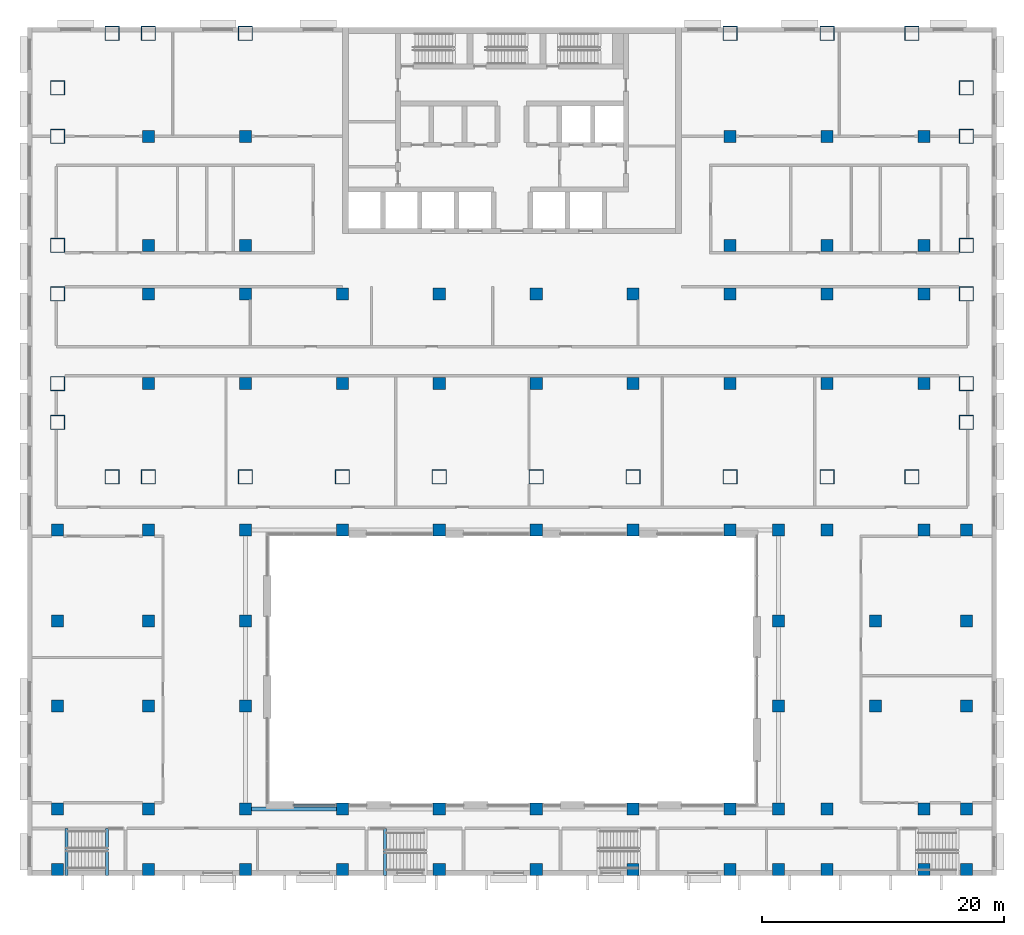
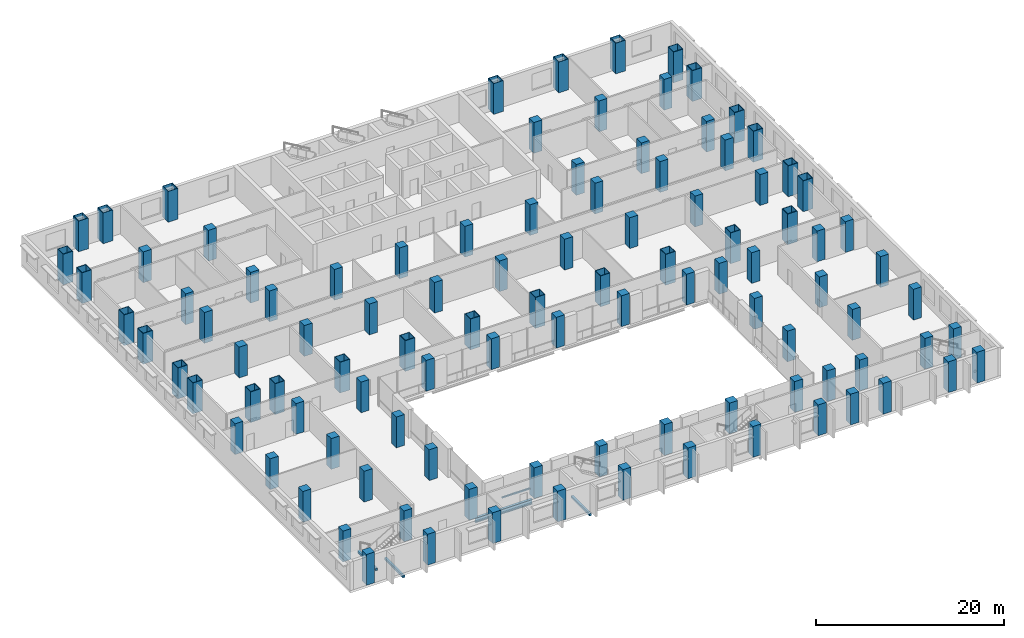
# One storey, part 1 of 25: 104 columns, 4 beams, 1 member, 1 element without a shape of its own.
"""IFC4 building model written with IfcOpenShell, lengths in metres."""

from ifc_helpers import new_model, si_unit, direction, frame, origin, origin_2d, place, context, subcontext, project, spatial, rectangle, hollow_rectangle, i_section, extrude, material, material_profile, profile_set, type_object, element, aggregate, save


model = new_model("IFC4")

# Units and contexts
model_context = context("Model", 3, precision=1e-05, world=origin(), true_north=direction((0.0, 1.0)))
body_context = subcontext(model_context, "Body", "Model", "MODEL_VIEW")
ifc_project = project(units=[si_unit("LENGTHUNIT", "METRE"), si_unit("AREAUNIT", "SQUARE_METRE"), si_unit("VOLUMEUNIT", "CUBIC_METRE"), si_unit("PLANEANGLEUNIT", "RADIAN"), si_unit("MASSUNIT", "GRAM", prefix="KILO")], contexts=[model_context])

# Site, building, storey
site_placement = place(None, origin())
site = spatial("IfcSite", under=ifc_project, at=site_placement, CompositionType="ELEMENT")
building_placement = place(site_placement, origin())
building = spatial("IfcBuilding", under=site, at=building_placement, Name="Vidyagriha Tower", CompositionType="ELEMENT")
storey_placement = place(building_placement, frame((0.0, 0.0, 18.0)))
storey = spatial("IfcBuildingStorey", under=building, at=storey_placement, Name="L04", CompositionType="ELEMENT", Elevation=18.0)

# Columns
ifc_material_1 = material(Name="Steel ASTM A572 Grade 50", Category="steel")
ifc_material_profile_1 = material_profile(ifc_material_1, hollow_rectangle(XDim=1.199951171875, YDim=1.199951171875, WallThickness=0.06005859375, at=origin_2d()), Name="BOX 1200x1200x60")
ifc_profile_set_1 = profile_set([ifc_material_profile_1], Name="Steel ASTM A572 Grade 50")
column_type_1 = type_object("IfcColumnType", Name="Exoskeleton column BOX 1200x1200x60", PredefinedType="COLUMN", material=ifc_profile_set_1)
for number, where, name in (
    (1, (-33.0, -17.10009765625, 0.0), "st-col-L04-B1-001"),
    (2, (-30.0, -17.10009765625, 0.0), "st-col-L04-B1-002"),
    (3, (-22.0, -17.10009765625, 0.0), "st-col-L04-B1-003"),
    (4, (-14.0, -17.10009765625, 0.0), "st-col-L04-B1-004"),
    (5, (-6.0, -17.10009765625, 0.0), "st-col-L04-B1-005"),
    (6, (2.0, -17.10009765625, 0.0), "st-col-L04-B1-006"),
    (7, (10.0, -17.10009765625, 0.0), "st-col-L04-B1-007"),
    (8, (18.0, -17.10009765625, 0.0), "st-col-L04-B1-008"),
    (9, (26.0, -17.10009765625, 0.0), "st-col-L04-B1-009"),
    (10, (33.0, -17.10009765625, 0.0), "st-col-L04-B1-010"),
    (11, (-37.5, -12.60009765625, 0.0), "st-col-L04-B1-011"),
    (12, (37.5, -12.60009765625, 0.0), "st-col-L04-B1-012"),
    (13, (-37.5, -9.39990234375, 0.0), "st-col-L04-B1-013"),
    (14, (37.5, -9.39990234375, 0.0), "st-col-L04-B1-023"),
    (15, (-37.5, -2.0, 0.0), "st-col-L04-B1-024"),
    (16, (37.5, -2.0, 0.0), "st-col-L04-B1-034"),
    (17, (-37.5, 2.0, 0.0), "st-col-L04-B1-035"),
    (18, (37.5, 2.0, 0.0), "st-col-L04-B1-041"),
    (19, (-37.5, 11.0, 0.0), "st-col-L04-B1-042"),
    (20, (37.5, 11.0, 0.0), "st-col-L04-B1-048"),
    (21, (-37.5, 15.0, 0.0), "st-col-L04-B1-049"),
    (22, (37.5, 15.0, 0.0), "st-col-L04-B1-050"),
    (23, (-33.0, 19.5, 0.0), "st-col-L04-B1-051"),
    (24, (-30.0, 19.5, 0.0), "st-col-L04-B1-052"),
    (25, (-22.0, 19.5, 0.0), "st-col-L04-B1-053"),
    (26, (18.0, 19.5, 0.0), "st-col-L04-B1-054"),
    (27, (26.0, 19.5, 0.0), "st-col-L04-B1-055"),
    (28, (33.0, 19.5, 0.0), "st-col-L04-B1-056"),
):
    element("IfcColumn", number, at=place(storey_placement, frame(where)), inside=storey, type_object=column_type_1, Name=name, PredefinedType="COLUMN", context=body_context, shape_type="SweptSolid", body=[
        extrude(hollow_rectangle(XDim=1.199951171875, YDim=1.199951171875, WallThickness=0.06005859375, at=origin_2d()), origin(), (0.0, 0.0, 1.0), 4.0),
    ])
ifc_material_2 = material(Name="Concrete C80/95", Category="concrete")
ifc_material_profile_2 = material_profile(ifc_material_2, rectangle(XDim=1.0, YDim=1.0, at=origin_2d()), Name="RC 1000x1000")
ifc_profile_set_2 = profile_set([ifc_material_profile_2], Name="Concrete C80/95")
column_type_2 = type_object("IfcColumnType", Name="Frame column RC 1000x1000", PredefinedType="COLUMN", material=ifc_profile_set_2)
for number, where, name in (
    (29, (-30.0, -9.39990234375, 0.0), "st-col-L04-B1-014"),
    (30, (-22.0, -9.39990234375, 0.0), "st-col-L04-B1-015"),
    (31, (-14.0, -9.39990234375, 0.0), "st-col-L04-B1-016"),
    (32, (-6.0, -9.39990234375, 0.0), "st-col-L04-B1-017"),
    (33, (2.0, -9.39990234375, 0.0), "st-col-L04-B1-018"),
    (34, (10.0, -9.39990234375, 0.0), "st-col-L04-B1-019"),
    (35, (18.0, -9.39990234375, 0.0), "st-col-L04-B1-020"),
    (36, (26.0, -9.39990234375, 0.0), "st-col-L04-B1-021"),
    (37, (34.0, -9.39990234375, 0.0), "st-col-L04-B1-022"),
    (38, (-30.0, -2.0, 0.0), "st-col-L04-B1-025"),
    (39, (-22.0, -2.0, 0.0), "st-col-L04-B1-026"),
    (40, (-14.0, -2.0, 0.0), "st-col-L04-B1-027"),
    (41, (-6.0, -2.0, 0.0), "st-col-L04-B1-028"),
    (42, (2.0, -2.0, 0.0), "st-col-L04-B1-029"),
    (43, (10.0, -2.0, 0.0), "st-col-L04-B1-030"),
    (44, (18.0, -2.0, 0.0), "st-col-L04-B1-031"),
    (45, (26.0, -2.0, 0.0), "st-col-L04-B1-032"),
    (46, (34.0, -2.0, 0.0), "st-col-L04-B1-033"),
    (47, (-30.0, 2.0, 0.0), "st-col-L04-B1-036"),
    (48, (-22.0, 2.0, 0.0), "st-col-L04-B1-037"),
    (49, (18.0, 2.0, 0.0), "st-col-L04-B1-038"),
    (50, (26.0, 2.0, 0.0), "st-col-L04-B1-039"),
    (51, (34.0, 2.0, 0.0), "st-col-L04-B1-040"),
    (52, (-30.0, 11.0, 0.0), "st-col-L04-B1-043"),
    (53, (-22.0, 11.0, 0.0), "st-col-L04-B1-044"),
    (54, (18.0, 11.0, 0.0), "st-col-L04-B1-045"),
    (55, (26.0, 11.0, 0.0), "st-col-L04-B1-046"),
    (56, (34.0, 11.0, 0.0), "st-col-L04-B1-047"),
):
    element("IfcColumn", number, at=place(storey_placement, frame(where)), inside=storey, type_object=column_type_2, Name=name, PredefinedType="COLUMN", context=body_context, shape_type="SweptSolid", body=[
        extrude(rectangle(XDim=1.0, YDim=1.0, at=origin_2d()), origin(), (0.0, 0.0, 1.0), 4.0),
    ])
ifc_material_3 = material(Name="Concrete C80/95", Category="concrete")
ifc_material_profile_3 = material_profile(ifc_material_3, rectangle(XDim=1.0, YDim=1.0, at=origin_2d()), Name="RC 1000x1000")
ifc_profile_set_3 = profile_set([ifc_material_profile_3], Name="Concrete C80/95")
column_type_3 = type_object("IfcColumnType", Name="Podium column RC 1000x1000", PredefinedType="COLUMN", material=ifc_profile_set_3)
for number, where, name in (
    (57, (-37.5, -49.5, 0.0), "st-col-L04-P-057"),
    (58, (-30.0, -49.5, 0.0), "st-col-L04-P-058"),
    (59, (-22.0, -49.5, 0.0), "st-col-L04-P-059"),
    (60, (-14.0, -49.5, 0.0), "st-col-L04-P-060"),
    (61, (-6.0, -49.5, 0.0), "st-col-L04-P-061"),
    (62, (2.0, -49.5, 0.0), "st-col-L04-P-062"),
    (63, (10.0, -49.5, 0.0), "st-col-L04-P-063"),
    (64, (18.0, -49.5, 0.0), "st-col-L04-P-064"),
    (65, (22.0, -49.5, 0.0), "st-col-L04-P-065"),
    (66, (26.0, -49.5, 0.0), "st-col-L04-P-066"),
    (67, (34.0, -49.5, 0.0), "st-col-L04-P-067"),
    (68, (37.5, -49.5, 0.0), "st-col-L04-P-068"),
    (69, (-37.5, -44.5, 0.0), "st-col-L04-P-069"),
    (70, (-30.0, -44.5, 0.0), "st-col-L04-P-070"),
    (71, (-22.0, -44.5, 0.0), "st-col-L04-P-071"),
    (72, (-14.0, -44.5, 0.0), "st-col-L04-P-072"),
    (73, (-6.0, -44.5, 0.0), "st-col-L04-P-073"),
    (74, (2.0, -44.5, 0.0), "st-col-L04-P-074"),
    (75, (10.0, -44.5, 0.0), "st-col-L04-P-075"),
    (76, (18.0, -44.5, 0.0), "st-col-L04-P-076"),
    (77, (22.0, -44.5, 0.0), "st-col-L04-P-077"),
    (78, (26.0, -44.5, 0.0), "st-col-L04-P-078"),
    (79, (34.0, -44.5, 0.0), "st-col-L04-P-079"),
    (80, (37.5, -44.5, 0.0), "st-col-L04-P-080"),
    (81, (-37.5, -36.0, 0.0), "st-col-L04-P-081"),
    (82, (-30.0, -36.0, 0.0), "st-col-L04-P-082"),
    (83, (-22.0, -36.0, 0.0), "st-col-L04-P-083"),
    (84, (22.0, -36.0, 0.0), "st-col-L04-P-084"),
    (85, (30.0, -36.0, 0.0), "st-col-L04-P-085"),
    (86, (37.5, -36.0, 0.0), "st-col-L04-P-086"),
    (87, (-37.5, -29.0, 0.0), "st-col-L04-P-087"),
    (88, (-30.0, -29.0, 0.0), "st-col-L04-P-088"),
    (89, (-22.0, -29.0, 0.0), "st-col-L04-P-089"),
    (90, (22.0, -29.0, 0.0), "st-col-L04-P-090"),
    (91, (30.0, -29.0, 0.0), "st-col-L04-P-091"),
    (92, (37.5, -29.0, 0.0), "st-col-L04-P-092"),
    (93, (-37.5, -21.5, 0.0), "st-col-L04-P-093"),
    (94, (-30.0, -21.5, 0.0), "st-col-L04-P-094"),
    (95, (-22.0, -21.5, 0.0), "st-col-L04-P-095"),
    (96, (-14.0, -21.5, 0.0), "st-col-L04-P-096"),
    (97, (-6.0, -21.5, 0.0), "st-col-L04-P-097"),
    (98, (2.0, -21.5, 0.0), "st-col-L04-P-098"),
    (99, (10.0, -21.5, 0.0), "st-col-L04-P-099"),
    (100, (18.0, -21.5, 0.0), "st-col-L04-P-100"),
    (101, (22.0, -21.5, 0.0), "st-col-L04-P-101"),
    (102, (26.0, -21.5, 0.0), "st-col-L04-P-102"),
    (103, (34.0, -21.5, 0.0), "st-col-L04-P-103"),
    (104, (37.5, -21.5, 0.0), "st-col-L04-P-104"),
):
    element("IfcColumn", number, at=place(storey_placement, frame(where)), inside=storey, type_object=column_type_3, Name=name, PredefinedType="COLUMN", context=body_context, shape_type="SweptSolid", body=[
        extrude(rectangle(XDim=1.0, YDim=1.0, at=origin_2d()), origin(), (0.0, 0.0, 1.0), 4.0),
    ])

# Beams
ifc_material_4 = material(Name="Steel ASTM A992 Grade 50", Category="steel")
ifc_material_profile_4 = material_profile(ifc_material_4, i_section(OverallWidth=0.32373046875, OverallDepth=0.612060546875, WebThickness=0.0126953125, FlangeThickness=0.01904296875, at=origin_2d()), Name="W24X104")
ifc_profile_set_4 = profile_set([ifc_material_profile_4], Name="Steel ASTM A992 Grade 50")
beam_type_1 = type_object("IfcBeamType", Name="Atrium edge beam W24X104", PredefinedType="BEAM", material=ifc_profile_set_4)
beam_placement = place(storey_placement, frame((-21.5, -44.5, -0.60595703125), z_axis=(1.0, 0.0, 0.0), x_axis=(0.0, 1.0, 0.0)))
element("IfcBeam", 105, at=beam_placement, inside=storey, type_object=beam_type_1, Name="st-beam-L04-AT01", PredefinedType="BEAM", context=body_context, shape_type="SweptSolid", body=[
    extrude(i_section(OverallWidth=0.32373046875, OverallDepth=0.612060546875, WebThickness=0.0126953125, FlangeThickness=0.01904296875, at=origin_2d()), origin(), (0.0, 0.0, 1.0), 7.0),
])
ifc_material_5 = material(Name="Concrete C40/50", Category="concrete")
ifc_material_profile_5 = material_profile(ifc_material_5, rectangle(XDim=0.25, YDim=0.300048828125, at=origin_2d()), Name="Stair landing bearing beam 250x300")
ifc_profile_set_5 = profile_set([ifc_material_profile_5], Name="Concrete C40/50")
beam_type_2 = type_object("IfcBeamType", Name="Stair landing bearing beam 250x300", PredefinedType="BEAM", material=ifc_profile_set_5)
for number, where, z_axis, x_axis, name in (
    (106, (-33.419921875, -50.0, -0.449951171875), (0.0, 1.0, 0.0), (-1.0, 0.0, 0.0), "PS1 floor landing bearing beam L04"),
    (107, (-36.760009765625, -50.0, 1.64990234375), (0.0, 1.0, 0.0), (-1.0, 0.0, 0.0), "PS1 landing bearing beam L04"),
    (108, (-10.47998046875, -50.0, -0.449951171875), (0.0, 1.0, 0.0), (-1.0, 0.0, 0.0), "PS3 floor landing bearing beam L04"),
):
    element("IfcBeam", number, at=place(storey_placement, frame(where, z_axis=z_axis, x_axis=x_axis)), inside=storey, type_object=beam_type_2, Name=name, PredefinedType="BEAM", context=body_context, shape_type="SweptSolid", body=[
        extrude(rectangle(XDim=0.25, YDim=0.300048828125, at=origin_2d()), origin(), (0.0, 0.0, 1.0), 3.89990234375),
    ])

# Curtain wall, member
ifc_material_6 = material(Name="Aluminium and glass curtain wall", Category="aluminium")
curtain_wall_type = type_object("IfcCurtainWallType", Name="Atrium screen curtain wall", PredefinedType="USERDEFINED", material=ifc_material_6)
curtain_wall_placement = place(storey_placement, origin())
curtain_wall = element("IfcCurtainWall", 109, at=curtain_wall_placement, inside=storey, type_object=curtain_wall_type, Name="CW6 atrium screen", ObjectType="UNITISED", PredefinedType="USERDEFINED")
ifc_material_7 = material(Name="Aluminium black anodised", Category="aluminium")
ifc_material_profile_6 = material_profile(ifc_material_7, rectangle(XDim=0.159912109375, YDim=0.10009765625, at=origin_2d()), Name="Transom 100x160 black aluminium")
ifc_profile_set_6 = profile_set([ifc_material_profile_6], Name="Aluminium black anodised")
member_type = type_object("IfcMemberType", Name="Transom 100x160 black aluminium", PredefinedType="USERDEFINED", material=ifc_profile_set_6)
member_placement = place(storey_placement, frame((-14.60009765625, -44.199951171875, 0.89990234375), z_axis=(-1.0, 0.0, 0.0), x_axis=(0.0, -1.0, 0.0)))
member = element("IfcMember", 110, at=member_placement, type_object=member_type, Name="CW6 transom 1.1", ObjectType="TRANSOM", PredefinedType="USERDEFINED", context=body_context, shape_type="SweptSolid", body=[
    extrude(rectangle(XDim=0.159912109375, YDim=0.10009765625, at=origin_2d()), origin(), (0.0, 0.0, 1.0), 3.39990234375),
])
aggregate(curtain_wall, [member])

save(model, "model.ifc")
